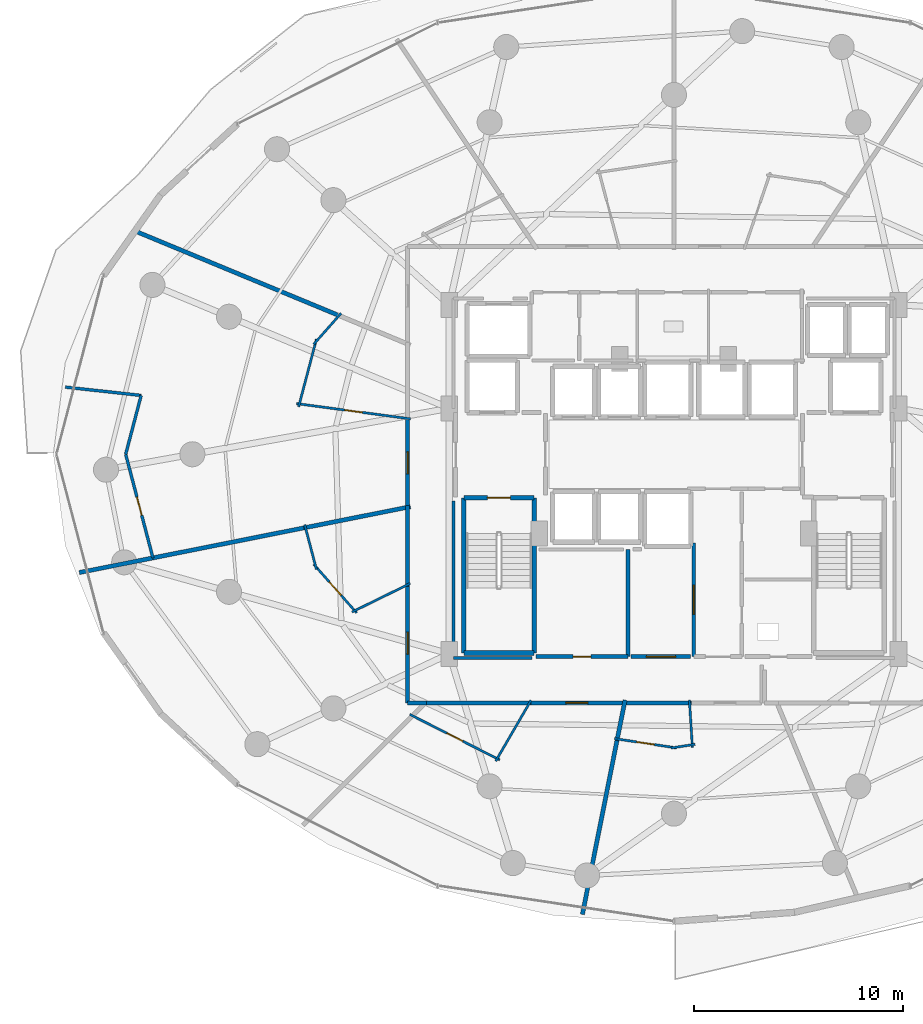
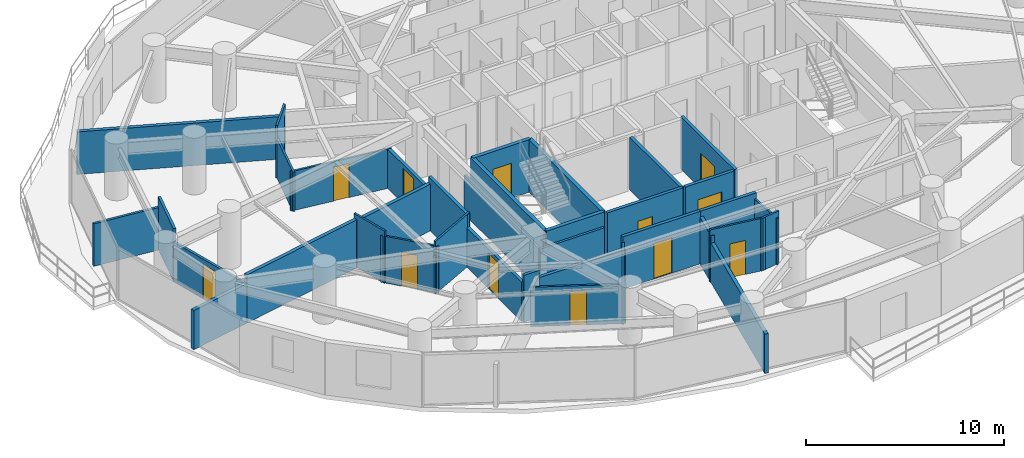
# One storey, part 27 of 35: 37 walls, 12 doors, 12 openings.
"""IFC4 building model written with IfcOpenShell, lengths in metres."""

from ifc_helpers import new_model, si_unit, direction, frame, frame_2d, origin, place, context, subcontext, project, spatial, rectangle, extrude, material, layer, layer_set, type_object, element, fill, save


model = new_model("IFC4")

# Units and contexts
model_context = context("Model", 3, precision=1e-05, world=origin(), true_north=direction((0.0, 1.0)))
body_context = subcontext(model_context, "Body", "Model", "MODEL_VIEW")
ifc_project = project(units=[si_unit("LENGTHUNIT", "METRE"), si_unit("AREAUNIT", "SQUARE_METRE"), si_unit("VOLUMEUNIT", "CUBIC_METRE"), si_unit("PLANEANGLEUNIT", "RADIAN"), si_unit("MASSUNIT", "GRAM", prefix="KILO")], contexts=[model_context])

# Site, building, storey
site_placement = place(None, origin())
site = spatial("IfcSite", under=ifc_project, at=site_placement, CompositionType="ELEMENT")
building_placement = place(site_placement, origin())
building = spatial("IfcBuilding", under=site, at=building_placement, Name="Vorneva Point Tower", CompositionType="ELEMENT")
storey_placement = place(building_placement, frame((0.0, 0.0, 48.5)))
storey = spatial("IfcBuildingStorey", under=building, at=storey_placement, Name="L12", CompositionType="ELEMENT", Elevation=48.5)

# Wall, opening, door
ifc_material_1 = material(Name="Fire-rated acoustic gypsum stud partition", Category="gypsum")
ifc_layer_1 = layer(ifc_material_1, 0.110107421875)
ifc_layer_set_1 = layer_set([ifc_layer_1], Name="Fire-rated acoustic gypsum stud partition")
wall_type_1 = type_object("IfcWallType", Name="WL-PART-110", PredefinedType="PARTITIONING", material=ifc_layer_set_1)
wall_1_placement = place(storey_placement, frame((25.388916015625, 27.6943359375, 0.0), z_axis=(0.0, 0.0, 1.0), x_axis=(-0.991111683087, 0.133032445848, 0.0)))
wall_1 = element("IfcWall", 1, at=wall_1_placement, inside=storey, type_object=wall_type_1, Name="L12 Interior Partition 067", PredefinedType="PARTITIONING", context=body_context, shape_type="SweptSolid", body=[
    extrude(rectangle(XDim=5.503662109375, YDim=0.110107421875, at=frame_2d((2.751953125, 0.0))), origin(), (0.0, 0.0, 1.0), 2.431884765625),
])
opening_1_placement = place(wall_1_placement, frame((2.326904296875, 0.0, 0.0)))
opening_1 = element("IfcOpeningElement", 2, at=opening_1_placement, cuts=wall_1, Name="Opening ID-02", PredefinedType="OPENING", context=body_context, shape_type="SweptSolid", body=[
    extrude(rectangle(XDim=0.85009765625, YDim=2.10009765625, at=frame_2d((0.425048828125, 1.050048828125))), frame((0.0, 0.06982421875, 0.0), z_axis=(0.0, -1.0, 0.0), x_axis=(1.0, 0.0, 0.0)), (0.0, 0.0, 1.0), 0.139892578125),
])
ifc_material_2 = material(Name="Engineered oak fire-rated door leaf", Category="wood")
door_type_1 = type_object("IfcDoorType", Name="DR-BATH-850", OperationType="NOTDEFINED", PredefinedType="DOOR", material=ifc_material_2)
door_1_placement = place(opening_1_placement, origin())
door_1 = element("IfcDoor", 3, at=door_1_placement, inside=storey, type_object=door_type_1, Name="L12 Door Junior Suite L12-05 / En-Suite Bathroom L12-05", OperationType="SINGLE_SWING_RIGHT", OverallHeight=2.10009765625, OverallWidth=0.85009765625, PredefinedType="DOOR", context=body_context, shape_type="SweptSolid", body=[
    extrude(rectangle(XDim=0.85009765625, YDim=2.10009765625, at=frame_2d((0.425048828125, 1.050048828125))), frame((0.0, 0.02490234375, 0.0), z_axis=(0.0, -1.0, 0.0), x_axis=(1.0, 0.0, 0.0)), (0.0, 0.0, 1.0), 0.050048828125),
])
fill(opening_1, door_1)

# Walls
wall_2_placement = place(storey_placement, frame((20.037353515625, 28.272705078125, 0.0), z_axis=(0.0, 0.0, 1.0), x_axis=(0.254593926267, 0.967048050878, 0.0)))
element("IfcWall", 4, at=wall_2_placement, inside=storey, type_object=wall_type_1, Name="L12 Interior Partition 068", PredefinedType="PARTITIONING", context=body_context, shape_type="SweptSolid", body=[
    extrude(rectangle(XDim=3.34375, YDim=0.110107421875, at=frame_2d((1.671875, 0.0))), origin(), (0.0, 0.0, 1.0), 2.431884765625),
])
wall_3_placement = place(storey_placement, frame((20.76025390625, 31.26611328125, 0.0), z_axis=(0.0, 0.0, 1.0), x_axis=(0.662047420969, 0.749461948593, 0.0)))
element("IfcWall", 5, at=wall_3_placement, inside=storey, type_object=wall_type_1, Name="L12 Interior Partition 069", PredefinedType="PARTITIONING", context=body_context, shape_type="SweptSolid", body=[
    extrude(rectangle(XDim=1.9716796875, YDim=0.110107421875, at=frame_2d((0.98583984375, 0.0))), origin(), (0.0, 0.0, 1.0), 3.239990234375),
])
wall_4_placement = place(storey_placement, frame((25.375732421875, 19.815673828125, 0.0), z_axis=(0.0, 0.0, 1.0), x_axis=(-0.89800930559, -0.439976461954, 0.0)))
element("IfcWall", 6, at=wall_4_placement, inside=storey, type_object=wall_type_1, Name="L12 Interior Partition 076", PredefinedType="PARTITIONING", context=body_context, shape_type="SweptSolid", body=[
    extrude(rectangle(XDim=3.09619140625, YDim=0.110107421875, at=frame_2d((1.548095703125, 0.0))), origin(), (0.0, 0.0, 1.0), 3.239990234375),
])

# Wall, opening, door
wall_5_placement = place(storey_placement, frame((22.813720703125, 18.41015625, 0.0), z_axis=(0.0, 0.0, 1.0), x_axis=(-0.662186487972, 0.749339078887, 0.0)))
wall_5 = element("IfcWall", 7, at=wall_5_placement, inside=storey, type_object=wall_type_1, Name="L12 Interior Partition 077", PredefinedType="PARTITIONING", context=body_context, shape_type="SweptSolid", body=[
    extrude(rectangle(XDim=3.10107421875, YDim=0.110107421875, at=frame_2d((1.550537109375, 0.0))), origin(), (0.0, 0.0, 1.0), 2.885986328125),
])
opening_2_placement = place(wall_5_placement, frame((1.12548828125, 0.0, 0.0)))
opening_2 = element("IfcOpeningElement", 8, at=opening_2_placement, cuts=wall_5, Name="Opening ID-02", PredefinedType="OPENING", context=body_context, shape_type="SweptSolid", body=[
    extrude(rectangle(XDim=0.85009765625, YDim=2.10009765625, at=frame_2d((0.425048828125, 1.050048828125))), frame((0.0, 0.06982421875, 0.0), z_axis=(0.0, -1.0, 0.0), x_axis=(1.0, 0.0, 0.0)), (0.0, 0.0, 1.0), 0.139892578125),
])
door_2_placement = place(opening_2_placement, origin())
door_2 = element("IfcDoor", 9, at=door_2_placement, inside=storey, type_object=door_type_1, Name="L12 Door Executive Suite L12-06 / En-Suite Bathroom L12-06", OperationType="SINGLE_SWING_RIGHT", OverallHeight=2.10009765625, OverallWidth=0.85009765625, PredefinedType="DOOR", context=body_context, shape_type="SweptSolid", body=[
    extrude(rectangle(XDim=0.85009765625, YDim=2.10009765625, at=frame_2d((0.425048828125, 1.050048828125))), frame((0.0, 0.02490234375, 0.0), z_axis=(0.0, -1.0, 0.0), x_axis=(1.0, 0.0, 0.0)), (0.0, 0.0, 1.0), 0.050048828125),
])
fill(opening_2, door_2)

# Wall
wall_6_placement = place(storey_placement, frame((20.888671875, 20.49365234375, 0.0), z_axis=(0.0, 0.0, 1.0), x_axis=(-0.254389812051, 0.967101764823, 0.0)))
element("IfcWall", 10, at=wall_6_placement, inside=storey, type_object=wall_type_1, Name="L12 Interior Partition 078", PredefinedType="PARTITIONING", context=body_context, shape_type="SweptSolid", body=[
    extrude(rectangle(XDim=2.206298828125, YDim=0.110107421875, at=frame_2d((1.10302734375, 0.0))), origin(), (0.0, 0.0, 1.0), 3.239990234375),
])

# Wall, opening, door
wall_7_placement = place(storey_placement, frame((29.6650390625, 11.371826171875, 0.0), z_axis=(0.0, 0.0, 1.0), x_axis=(-0.892577568201, 0.450893873039, 0.0)))
wall_7 = element("IfcWall", 11, at=wall_7_placement, inside=storey, type_object=wall_type_1, Name="L12 Interior Partition 080", PredefinedType="PARTITIONING", context=body_context, shape_type="SweptSolid", body=[
    extrude(rectangle(XDim=4.824462890625, YDim=0.110107421875, at=frame_2d((2.412109375, 0.0))), origin(), (0.0, 0.0, 1.0), 2.431884765625),
])
opening_3_placement = place(wall_7_placement, frame((1.987060546875, 0.0, 0.0)))
opening_3 = element("IfcOpeningElement", 12, at=opening_3_placement, cuts=wall_7, Name="Opening ID-02", PredefinedType="OPENING", context=body_context, shape_type="SweptSolid", body=[
    extrude(rectangle(XDim=0.85009765625, YDim=2.10009765625, at=frame_2d((0.425048828125, 1.050048828125))), frame((0.0, 0.06982421875, 0.0), z_axis=(0.0, -1.0, 0.0), x_axis=(1.0, 0.0, 0.0)), (0.0, 0.0, 1.0), 0.139892578125),
])
door_3_placement = place(opening_3_placement, origin())
door_3 = element("IfcDoor", 13, at=door_3_placement, inside=storey, type_object=door_type_1, Name="L12 Door Corner Suite L12-07 / En-Suite Bathroom L12-07", OperationType="SINGLE_SWING_LEFT", OverallHeight=2.10009765625, OverallWidth=0.85009765625, PredefinedType="DOOR", context=body_context, shape_type="SweptSolid", body=[
    extrude(rectangle(XDim=0.85009765625, YDim=2.10009765625, at=frame_2d((0.425048828125, 1.050048828125))), frame((0.0, 0.02490234375, 0.0), z_axis=(0.0, -1.0, 0.0), x_axis=(1.0, 0.0, 0.0)), (0.0, 0.0, 1.0), 0.050048828125),
])
fill(opening_3, door_3)

# Walls
wall_8_placement = place(storey_placement, frame((31.158203125, 14.22119140625, 0.0), z_axis=(0.0, 0.0, 1.0), x_axis=(-0.50222661214, -0.864736046466, 0.0)))
element("IfcWall", 14, at=wall_8_placement, inside=storey, type_object=wall_type_1, Name="L12 Interior Partition 081", PredefinedType="PARTITIONING", context=body_context, shape_type="SweptSolid", body=[
    extrude(rectangle(XDim=3.362060546875, YDim=0.110107421875, at=frame_2d((1.68115234375, 0.0))), origin(), (0.0, 0.0, 1.0), 2.885986328125),
])
wall_9_placement = place(storey_placement, frame((38.740234375, 14.23974609375, 0.0), z_axis=(0.0, 0.0, 1.0), x_axis=(0.062743659702, -0.998029675494, 0.0)))
element("IfcWall", 15, at=wall_9_placement, inside=storey, type_object=wall_type_1, Name="L12 Interior Partition 084", PredefinedType="PARTITIONING", context=body_context, shape_type="SweptSolid", body=[
    extrude(rectangle(XDim=2.287841796875, YDim=0.110107421875, at=frame_2d((1.14404296875, 0.0))), origin(), (0.0, 0.0, 1.0), 2.885986328125),
])
wall_10_placement = place(storey_placement, frame((39.013427734375, 12.116943359375, 0.0), z_axis=(0.0, 0.0, 1.0), x_axis=(-0.988803754909, -0.14922176208, 0.0)))
element("IfcWall", 16, at=wall_10_placement, inside=storey, type_object=wall_type_1, Name="L12 Interior Partition 085", PredefinedType="PARTITIONING", context=body_context, shape_type="SweptSolid", body=[
    extrude(rectangle(XDim=1.164794921875, YDim=0.110107421875, at=frame_2d((0.58251953125, 0.0))), origin(), (0.0, 0.0, 1.0), 3.239990234375),
])

# Wall, opening, door
wall_11_placement = place(storey_placement, frame((38.138427734375, 11.943115234375, 0.0), z_axis=(0.0, 0.0, 1.0), x_axis=(-0.988861549405, 0.148838288446, 0.0)))
wall_11 = element("IfcWall", 17, at=wall_11_placement, inside=storey, type_object=wall_type_1, Name="L12 Interior Partition 086", PredefinedType="PARTITIONING", context=body_context, shape_type="SweptSolid", body=[
    extrude(rectangle(XDim=3.021484375, YDim=0.110107421875, at=frame_2d((1.5107421875, 0.0))), origin(), (0.0, 0.0, 1.0), 3.239990234375),
])
opening_4_placement = place(wall_11_placement, frame((1.085693359375, 0.0, 0.0)))
opening_4 = element("IfcOpeningElement", 18, at=opening_4_placement, cuts=wall_11, Name="Opening ID-02", PredefinedType="OPENING", context=body_context, shape_type="SweptSolid", body=[
    extrude(rectangle(XDim=0.85009765625, YDim=2.10009765625, at=frame_2d((0.425048828125, 1.050048828125))), frame((0.0, 0.06982421875, 0.0), z_axis=(0.0, -1.0, 0.0), x_axis=(1.0, 0.0, 0.0)), (0.0, 0.0, 1.0), 0.139892578125),
])
door_4_placement = place(opening_4_placement, origin())
door_4 = element("IfcDoor", 19, at=door_4_placement, inside=storey, type_object=door_type_1, Name="L12 Door Junior Suite L12-08 / En-Suite Bathroom L12-08", OperationType="SINGLE_SWING_RIGHT", OverallHeight=2.10009765625, OverallWidth=0.85009765625, PredefinedType="DOOR", context=body_context, shape_type="SweptSolid", body=[
    extrude(rectangle(XDim=0.85009765625, YDim=2.10009765625, at=frame_2d((0.425048828125, 1.050048828125))), frame((0.0, 0.02490234375, 0.0), z_axis=(0.0, -1.0, 0.0), x_axis=(1.0, 0.0, 0.0)), (0.0, 0.0, 1.0), 0.050048828125),
])
fill(opening_4, door_4)

# Walls
ifc_layer_2 = layer(ifc_material_1, 0.139892578125)
ifc_layer_set_2 = layer_set([ifc_layer_2], Name="Fire-rated acoustic gypsum stud partition")
wall_type_2 = type_object("IfcWallType", Name="WL-PART-140", PredefinedType="PARTITIONING", material=ifc_layer_set_2)
wall_12_placement = place(storey_placement, frame((8.868896484375, 29.216064453125, 0.0), z_axis=(0.0, 0.0, 1.0), x_axis=(0.99395362386, -0.109800699523, 0.0)))
element("IfcWall", 20, at=wall_12_placement, inside=storey, type_object=wall_type_2, Name="L12 Interior Partition 070", PredefinedType="PARTITIONING", context=body_context, shape_type="SweptSolid", body=[
    extrude(rectangle(XDim=3.653076171875, YDim=0.139892578125, at=frame_2d((1.82666015625, 0.0))), origin(), (0.0, 0.0, 1.0), 2.6240234375),
])
wall_13_placement = place(storey_placement, frame((12.5, 28.81494140625, 0.0), z_axis=(0.0, 0.0, 1.0), x_axis=(-0.254241432202, -0.967140783005, 0.0)))
element("IfcWall", 21, at=wall_13_placement, inside=storey, type_object=wall_type_2, Name="L12 Interior Partition 071", PredefinedType="PARTITIONING", context=body_context, shape_type="SweptSolid", body=[
    extrude(rectangle(XDim=2.91064453125, YDim=0.139892578125, at=frame_2d((1.455322265625, 0.0))), origin(), (0.0, 0.0, 1.0), 3.239990234375),
])

# Wall, opening, door
wall_14_placement = place(storey_placement, frame((11.760009765625, 26.0, 0.0), z_axis=(0.0, 0.0, 1.0), x_axis=(0.254434720755, -0.967089950767, 0.0)))
wall_14 = element("IfcWall", 22, at=wall_14_placement, inside=storey, type_object=wall_type_2, Name="L12 Interior Partition 072", PredefinedType="PARTITIONING", context=body_context, shape_type="SweptSolid", body=[
    extrude(rectangle(XDim=5.128662109375, YDim=0.139892578125, at=frame_2d((2.564453125, 0.0))), origin(), (0.0, 0.0, 1.0), 2.431884765625),
])
opening_5_placement = place(wall_14_placement, frame((2.114501953125, 0.0, 0.0)))
opening_5 = element("IfcOpeningElement", 23, at=opening_5_placement, cuts=wall_14, Name="Opening ID-01", PredefinedType="OPENING", context=body_context, shape_type="SweptSolid", body=[
    extrude(rectangle(XDim=0.89990234375, YDim=2.10009765625, at=frame_2d((0.449951171875, 1.050048828125))), frame((0.0, 0.0849609375, 0.0), z_axis=(0.0, -1.0, 0.0), x_axis=(1.0, 0.0, 0.0)), (0.0, 0.0, 1.0), 0.169677734375),
])
door_type_2 = type_object("IfcDoorType", Name="DR-ROOM-900", OperationType="NOTDEFINED", PredefinedType="DOOR", material=ifc_material_2)
door_5_placement = place(opening_5_placement, origin())
door_5 = element("IfcDoor", 24, at=door_5_placement, inside=storey, type_object=door_type_2, Name="L12 Door Junior Suite L12-05 / Suite Sitting Study L12-05", OperationType="SINGLE_SWING_LEFT", OverallHeight=2.10009765625, OverallWidth=0.89990234375, PredefinedType="DOOR", context=body_context, shape_type="SweptSolid", body=[
    extrude(rectangle(XDim=0.89990234375, YDim=2.10009765625, at=frame_2d((0.449951171875, 1.050048828125))), frame((0.0, 0.02490234375, 0.0), z_axis=(0.0, -1.0, 0.0), x_axis=(1.0, 0.0, 0.0)), (0.0, 0.0, 1.0), 0.050048828125),
])
fill(opening_5, door_5)

# Walls
wall_15_placement = place(storey_placement, frame((31.195068359375, 16.239990234375, 0.0), z_axis=(0.0, 0.0, 1.0), x_axis=(-1.0, 0.0, 0.0)))
element("IfcWall", 25, at=wall_15_placement, inside=storey, type_object=wall_type_2, Name="L12 Interior Closure Partition 103", PredefinedType="PARTITIONING", context=body_context, shape_type="SweptSolid", body=[
    extrude(rectangle(XDim=3.7451171875, YDim=0.139892578125, at=frame_2d((1.87255859375, 0.0))), origin(), (0.0, 0.0, 1.0), 2.431884765625),
])
wall_16_placement = place(storey_placement, frame((27.449951171875, 16.239990234375, 0.0), z_axis=(0.0, 0.0, 1.0), x_axis=(0.0, 1.0, 0.0)))
element("IfcWall", 26, at=wall_16_placement, inside=storey, type_object=wall_type_2, Name="L12 Interior Closure Partition 104", PredefinedType="PARTITIONING", context=body_context, shape_type="SweptSolid", body=[
    extrude(rectangle(XDim=7.513916015625, YDim=0.139892578125, at=frame_2d((3.7568359375, 0.0))), origin(), (0.0, 0.0, 1.0), 2.431884765625),
])

# Wall, opening, door
ifc_material_3 = material(Name="Autoclaved aerated concrete blockwork", Category="masonry")
ifc_layer_3 = layer(ifc_material_3, 0.179931640625)
ifc_layer_set_3 = layer_set([ifc_layer_3], Name="Autoclaved aerated concrete blockwork")
wall_type_3 = type_object("IfcWallType", Name="WL-PART-180", PredefinedType="PARTITIONING", material=ifc_layer_set_3)
wall_17_placement = place(storey_placement, frame((38.949951171875, 21.7548828125, 0.0), z_axis=(0.0, 0.0, 1.0), x_axis=(0.0, -1.0, 0.0)))
wall_17 = element("IfcWall", 27, at=wall_17_placement, inside=storey, type_object=wall_type_3, Name="L12 Interior Partition 013", PredefinedType="PARTITIONING", context=body_context, shape_type="SweptSolid", body=[
    extrude(rectangle(XDim=5.434814453125, YDim=0.179931640625, at=frame_2d((2.71728515625, 0.0))), origin(), (0.0, 0.0, 1.0), 3.239990234375),
])
opening_6_placement = place(wall_17_placement, frame((2.017578125, 0.0, 0.0)))
opening_6 = element("IfcOpeningElement", 28, at=opening_6_placement, cuts=wall_17, Name="Opening FD-03", PredefinedType="OPENING", context=body_context, shape_type="SweptSolid", body=[
    extrude(rectangle(XDim=1.39990234375, YDim=2.199951171875, at=frame_2d((0.699951171875, 1.10009765625))), frame((0.0, 0.10498046875, 0.0), z_axis=(0.0, -1.0, 0.0), x_axis=(1.0, 0.0, 0.0)), (0.0, 0.0, 1.0), 0.209716796875),
])
ifc_material_4 = material(Name="Fire-rated powder-coated steel", Category="steel")
door_type_3 = type_object("IfcDoorType", Name="DR-PLT-1400", OperationType="DOUBLE_SWING_LEFT", PredefinedType="DOOR", material=ifc_material_4)
door_6_placement = place(opening_6_placement, origin())
door_6 = element("IfcDoor", 29, at=door_6_placement, inside=storey, type_object=door_type_3, Name="L12 Door Core Service Lobby / Telecoms and Data Room", OperationType="DOUBLE_SWING_LEFT", OverallHeight=2.199951171875, OverallWidth=1.39990234375, PredefinedType="DOOR", context=body_context, shape_type="SweptSolid", body=[
    extrude(rectangle(XDim=1.39990234375, YDim=2.199951171875, at=frame_2d((0.699951171875, 1.10009765625))), frame((0.0, 0.02490234375, 0.0), z_axis=(0.0, -1.0, 0.0), x_axis=(1.0, 0.0, 0.0)), (0.0, 0.0, 1.0), 0.050048828125),
])
fill(opening_6, door_6)

# Wall
wall_18_placement = place(storey_placement, frame((35.800048828125, 16.320068359375, 0.0), z_axis=(0.0, 0.0, 1.0), x_axis=(0.0, 1.0, 0.0)))
element("IfcWall", 30, at=wall_18_placement, inside=storey, type_object=wall_type_3, Name="L12 Interior Partition 023", PredefinedType="PARTITIONING", context=body_context, shape_type="SweptSolid", body=[
    extrude(rectangle(XDim=5.1298828125, YDim=0.179931640625, at=frame_2d((2.56494140625, 0.0))), origin(), (0.0, 0.0, 1.0), 3.239990234375),
])

# Wall, opening, door
wall_19_placement = place(storey_placement, frame((31.39990234375, 16.320068359375, 0.0), z_axis=(0.0, 0.0, 1.0), x_axis=(1.0, 0.0, 0.0)))
wall_19 = element("IfcWall", 31, at=wall_19_placement, inside=storey, type_object=wall_type_3, Name="L12 Interior Partition 024", PredefinedType="PARTITIONING", context=body_context, shape_type="SweptSolid", body=[
    extrude(rectangle(XDim=4.400146484375, YDim=0.179931640625, at=frame_2d((2.2001953125, 0.0))), origin(), (0.0, 0.0, 1.0), 3.239990234375),
])
opening_7_placement = place(wall_19_placement, frame((1.77490234375, 0.0, 0.0)))
opening_7 = element("IfcOpeningElement", 32, at=opening_7_placement, cuts=wall_19, Name="Opening ID-02", PredefinedType="OPENING", context=body_context, shape_type="SweptSolid", body=[
    extrude(rectangle(XDim=0.85009765625, YDim=2.10009765625, at=frame_2d((0.425048828125, 1.050048828125))), frame((0.0, 0.10498046875, 0.0), z_axis=(0.0, -1.0, 0.0), x_axis=(1.0, 0.0, 0.0)), (0.0, 0.0, 1.0), 0.209716796875),
])
door_7_placement = place(opening_7_placement, origin())
door_7 = element("IfcDoor", 33, at=door_7_placement, inside=storey, type_object=door_type_1, Name="L12 Door Housekeeping Store / L12 Circulation Corridor", OperationType="SINGLE_SWING_RIGHT", OverallHeight=2.10009765625, OverallWidth=0.85009765625, PredefinedType="DOOR", context=body_context, shape_type="SweptSolid", body=[
    extrude(rectangle(XDim=0.85009765625, YDim=2.10009765625, at=frame_2d((0.425048828125, 1.050048828125))), frame((0.0, 0.02490234375, 0.0), z_axis=(0.0, -1.0, 0.0), x_axis=(1.0, 0.0, 0.0)), (0.0, 0.0, 1.0), 0.050048828125),
])
fill(opening_7, door_7)

wall_20_placement = place(storey_placement, frame((35.949951171875, 16.320068359375, 0.0), z_axis=(0.0, 0.0, 1.0), x_axis=(1.0, 0.0, 0.0)))
wall_20 = element("IfcWall", 34, at=wall_20_placement, inside=storey, type_object=wall_type_3, Name="L12 Interior Partition 025", PredefinedType="PARTITIONING", context=body_context, shape_type="SweptSolid", body=[
    extrude(rectangle(XDim=2.85009765625, YDim=0.179931640625, at=frame_2d((1.425048828125, 0.0))), origin(), (0.0, 0.0, 1.0), 3.239990234375),
])
opening_8_placement = place(wall_20_placement, frame((0.72509765625, 0.0, 0.0)))
opening_8 = element("IfcOpeningElement", 35, at=opening_8_placement, cuts=wall_20, Name="Opening FD-03", PredefinedType="OPENING", context=body_context, shape_type="SweptSolid", body=[
    extrude(rectangle(XDim=1.39990234375, YDim=2.199951171875, at=frame_2d((0.699951171875, 1.10009765625))), frame((0.0, 0.10498046875, 0.0), z_axis=(0.0, -1.0, 0.0), x_axis=(1.0, 0.0, 0.0)), (0.0, 0.0, 1.0), 0.209716796875),
])
door_8_placement = place(opening_8_placement, origin())
door_8 = element("IfcDoor", 36, at=door_8_placement, inside=storey, type_object=door_type_3, Name="L12 Door Telecoms and Data Room / L12 Circulation Corridor", OperationType="DOUBLE_SWING_LEFT", OverallHeight=2.199951171875, OverallWidth=1.39990234375, PredefinedType="DOOR", context=body_context, shape_type="SweptSolid", body=[
    extrude(rectangle(XDim=1.39990234375, YDim=2.199951171875, at=frame_2d((0.699951171875, 1.10009765625))), frame((0.0, 0.02490234375, 0.0), z_axis=(0.0, -1.0, 0.0), x_axis=(1.0, 0.0, 0.0)), (0.0, 0.0, 1.0), 0.050048828125),
])
fill(opening_8, door_8)

wall_21_placement = place(storey_placement, frame((25.25, 27.77392578125, 0.0), z_axis=(0.0, 0.0, 1.0), x_axis=(0.0, -1.0, 0.0)))
wall_21 = element("IfcWall", 37, at=wall_21_placement, inside=storey, type_object=wall_type_3, Name="L12 Interior Partition 035", PredefinedType="PARTITIONING", context=body_context, shape_type="SweptSolid", body=[
    extrude(rectangle(XDim=4.370849609375, YDim=0.179931640625, at=frame_2d((2.185546875, 0.0))), origin(), (0.0, 0.0, 1.0), 2.431884765625),
])
opening_9_placement = place(wall_21_placement, frame((1.660400390625, 0.0, 0.0)))
opening_9 = element("IfcOpeningElement", 38, at=opening_9_placement, cuts=wall_21, Name="Opening UD-02", PredefinedType="OPENING", context=body_context, shape_type="SweptSolid", body=[
    extrude(rectangle(XDim=1.050048828125, YDim=2.199951171875, at=frame_2d((0.52490234375, 1.10009765625))), frame((0.0, 0.10498046875, 0.0), z_axis=(0.0, -1.0, 0.0), x_axis=(1.0, 0.0, 0.0)), (0.0, 0.0, 1.0), 0.209716796875),
])
door_type_4 = type_object("IfcDoorType", Name="DR-SUITE-1050", OperationType="NOTDEFINED", PredefinedType="DOOR", material=ifc_material_2)
door_9_placement = place(opening_9_placement, origin())
door_9 = element("IfcDoor", 39, at=door_9_placement, inside=storey, type_object=door_type_4, Name="L12 Door L12 Circulation Corridor / Junior Suite L12-05", OperationType="SINGLE_SWING_RIGHT", OverallHeight=2.199951171875, OverallWidth=1.050048828125, PredefinedType="DOOR", context=body_context, shape_type="SweptSolid", body=[
    extrude(rectangle(XDim=1.050048828125, YDim=2.199951171875, at=frame_2d((0.52490234375, 1.10009765625))), frame((0.0, 0.02490234375, 0.0), z_axis=(0.0, -1.0, 0.0), x_axis=(1.0, 0.0, 0.0)), (0.0, 0.0, 1.0), 0.050048828125),
])
fill(opening_9, door_9)

wall_22_placement = place(storey_placement, frame((25.25, 19.81396484375, 0.0), z_axis=(0.0, 0.0, 1.0), x_axis=(0.0, -1.0, 0.0)))
wall_22 = element("IfcWall", 40, at=wall_22_placement, inside=storey, type_object=wall_type_3, Name="L12 Interior Partition 037", PredefinedType="PARTITIONING", context=body_context, shape_type="SweptSolid", body=[
    extrude(rectangle(XDim=5.7138671875, YDim=0.179931640625, at=frame_2d((2.85693359375, 0.0))), origin(), (0.0, 0.0, 1.0), 2.431884765625),
])
opening_10_placement = place(wall_22_placement, frame((2.33203125, 0.0, 0.0)))
opening_10 = element("IfcOpeningElement", 41, at=opening_10_placement, cuts=wall_22, Name="Opening UD-02", PredefinedType="OPENING", context=body_context, shape_type="SweptSolid", body=[
    extrude(rectangle(XDim=1.050048828125, YDim=2.199951171875, at=frame_2d((0.52490234375, 1.10009765625))), frame((0.0, 0.10498046875, 0.0), z_axis=(0.0, -1.0, 0.0), x_axis=(1.0, 0.0, 0.0)), (0.0, 0.0, 1.0), 0.209716796875),
])
door_10_placement = place(opening_10_placement, origin())
door_10 = element("IfcDoor", 42, at=door_10_placement, inside=storey, type_object=door_type_4, Name="L12 Door L12 Circulation Corridor / Executive Suite L12-06", OperationType="SINGLE_SWING_LEFT", OverallHeight=2.199951171875, OverallWidth=1.050048828125, PredefinedType="DOOR", context=body_context, shape_type="SweptSolid", body=[
    extrude(rectangle(XDim=1.050048828125, YDim=2.199951171875, at=frame_2d((0.52490234375, 1.10009765625))), frame((0.0, 0.02490234375, 0.0), z_axis=(0.0, -1.0, 0.0), x_axis=(1.0, 0.0, 0.0)), (0.0, 0.0, 1.0), 0.050048828125),
])
fill(opening_10, door_10)

# Walls
wall_23_placement = place(storey_placement, frame((25.25, 14.10009765625, 0.0), z_axis=(0.0, 0.0, 1.0), x_axis=(1.0, 0.0, 0.0)))
element("IfcWall", 43, at=wall_23_placement, inside=storey, type_object=wall_type_3, Name="L12 Interior Partition 038", PredefinedType="PARTITIONING", context=body_context, shape_type="SweptSolid", body=[
    extrude(rectangle(XDim=0.909912109375, YDim=0.179931640625, at=frame_2d((0.455078125, 0.0))), origin(), (0.0, 0.0, 1.0), 2.885986328125),
])
wall_24_placement = place(storey_placement, frame((25.25, 23.54296875, 0.0), z_axis=(0.0, 0.0, 1.0), x_axis=(0.0, -1.0, 0.0)))
element("IfcWall", 44, at=wall_24_placement, inside=storey, type_object=wall_type_3, Name="L12 Interior Partition 039", PredefinedType="PARTITIONING", context=body_context, shape_type="SweptSolid", body=[
    extrude(rectangle(XDim=3.868896484375, YDim=0.179931640625, at=frame_2d((1.9345703125, 0.0))), origin(), (0.0, 0.0, 1.0), 3.239990234375),
])

# Wall, opening, door
wall_25_placement = place(storey_placement, frame((31.01904296875, 14.10009765625, 0.0), z_axis=(0.0, 0.0, 1.0), x_axis=(1.0, 0.0, 0.0)))
wall_25 = element("IfcWall", 45, at=wall_25_placement, inside=storey, type_object=wall_type_3, Name="L12 Interior Partition 040", PredefinedType="PARTITIONING", context=body_context, shape_type="SweptSolid", body=[
    extrude(rectangle(XDim=4.674072265625, YDim=0.179931640625, at=frame_2d((2.3369140625, 0.0))), origin(), (0.0, 0.0, 1.0), 3.239990234375),
])
opening_11_placement = place(wall_25_placement, frame((1.81201171875, 0.0, 0.0)))
opening_11 = element("IfcOpeningElement", 46, at=opening_11_placement, cuts=wall_25, Name="Opening UD-02", PredefinedType="OPENING", context=body_context, shape_type="SweptSolid", body=[
    extrude(rectangle(XDim=1.050048828125, YDim=2.199951171875, at=frame_2d((0.52490234375, 1.10009765625))), frame((0.0, 0.10498046875, 0.0), z_axis=(0.0, -1.0, 0.0), x_axis=(1.0, 0.0, 0.0)), (0.0, 0.0, 1.0), 0.209716796875),
])
door_11_placement = place(opening_11_placement, origin())
door_11 = element("IfcDoor", 47, at=door_11_placement, inside=storey, type_object=door_type_4, Name="L12 Door L12 Circulation Corridor / Corner Suite L12-07", OperationType="SINGLE_SWING_RIGHT", OverallHeight=2.199951171875, OverallWidth=1.050048828125, PredefinedType="DOOR", context=body_context, shape_type="SweptSolid", body=[
    extrude(rectangle(XDim=1.050048828125, YDim=2.199951171875, at=frame_2d((0.52490234375, 1.10009765625))), frame((0.0, 0.02490234375, 0.0), z_axis=(0.0, -1.0, 0.0), x_axis=(1.0, 0.0, 0.0)), (0.0, 0.0, 1.0), 0.050048828125),
])
fill(opening_11, door_11)

# Walls
wall_26_placement = place(storey_placement, frame((26.02001953125, 14.10009765625, 0.0), z_axis=(0.0, 0.0, 1.0), x_axis=(1.0, 0.0, 0.0)))
element("IfcWall", 48, at=wall_26_placement, inside=storey, type_object=wall_type_3, Name="L12 Interior Partition 041", PredefinedType="PARTITIONING", context=body_context, shape_type="SweptSolid", body=[
    extrude(rectangle(XDim=5.138916015625, YDim=0.179931640625, at=frame_2d((2.5693359375, 0.0))), origin(), (0.0, 0.0, 1.0), 2.431884765625),
])
wall_27_placement = place(storey_placement, frame((35.552978515625, 14.10009765625, 0.0), z_axis=(0.0, 0.0, 1.0), x_axis=(1.0, 0.0, 0.0)))
element("IfcWall", 49, at=wall_27_placement, inside=storey, type_object=wall_type_3, Name="L12 Interior Partition 046", PredefinedType="PARTITIONING", context=body_context, shape_type="SweptSolid", body=[
    extrude(rectangle(XDim=3.276123046875, YDim=0.179931640625, at=frame_2d((1.63818359375, 0.0))), origin(), (0.0, 0.0, 1.0), 3.239990234375),
])
ifc_layer_4 = layer(ifc_material_3, 0.199951171875)
ifc_layer_set_4 = layer_set([ifc_layer_4], Name="Autoclaved aerated concrete blockwork")
wall_type_4 = type_object("IfcWallType", Name="WL-PART-200", PredefinedType="PARTITIONING", material=ifc_layer_set_4)
wall_28_placement = place(storey_placement, frame((12.20703125, 36.68408203125, 0.0), z_axis=(0.0, 0.0, 1.0), x_axis=(0.923876032578, -0.382691881842, 0.0)))
element("IfcWall", 50, at=wall_28_placement, inside=storey, type_object=wall_type_4, Name="L12 Interior Partition 065", PredefinedType="PARTITIONING", context=body_context, shape_type="SweptSolid", body=[
    extrude(rectangle(XDim=10.63037109375, YDim=0.199951171875, at=frame_2d((5.315185546875, 0.0))), origin(), (0.0, 0.0, 1.0), 2.6240234375),
])
wall_29_placement = place(storey_placement, frame((13.06494140625, 21.0400390625, 0.0), z_axis=(0.0, 0.0, 1.0), x_axis=(0.980774220135, 0.195145917502, 0.0)))
element("IfcWall", 51, at=wall_29_placement, inside=storey, type_object=wall_type_4, Name="L12 Interior Partition 073", PredefinedType="PARTITIONING", context=body_context, shape_type="SweptSolid", body=[
    extrude(rectangle(XDim=7.50146484375, YDim=0.199951171875, at=frame_2d((3.750732421875, 0.0))), origin(), (0.0, 0.0, 1.0), 2.971923828125),
])
wall_30_placement = place(storey_placement, frame((20.284912109375, 22.476318359375, 0.0), z_axis=(0.0, 0.0, 1.0), x_axis=(0.980785905074, 0.195087181559, 0.0)))
element("IfcWall", 52, at=wall_30_placement, inside=storey, type_object=wall_type_4, Name="L12 Interior Partition 074", PredefinedType="PARTITIONING", context=body_context, shape_type="SweptSolid", body=[
    extrude(rectangle(XDim=5.2021484375, YDim=0.199951171875, at=frame_2d((2.60107421875, 0.0))), origin(), (0.0, 0.0, 1.0), 2.885986328125),
])
wall_31_placement = place(storey_placement, frame((9.541015625, 20.339111328125, 0.0), z_axis=(0.0, 0.0, 1.0), x_axis=(0.980786594985, 0.195083713053, 0.0)))
element("IfcWall", 53, at=wall_31_placement, inside=storey, type_object=wall_type_4, Name="L12 Interior Partition 075", PredefinedType="PARTITIONING", context=body_context, shape_type="SweptSolid", body=[
    extrude(rectangle(XDim=3.593017578125, YDim=0.199951171875, at=frame_2d((1.79638671875, 0.0))), origin(), (0.0, 0.0, 1.0), 2.431884765625),
])
wall_32_placement = place(storey_placement, frame((33.618896484375, 3.97705078125, 0.0), z_axis=(0.0, 0.0, 1.0), x_axis=(0.195151937053, 0.980773022398, 0.0)))
element("IfcWall", 54, at=wall_32_placement, inside=storey, type_object=wall_type_4, Name="L12 Interior Partition 082", PredefinedType="PARTITIONING", context=body_context, shape_type="SweptSolid", body=[
    extrude(rectangle(XDim=8.61962890625, YDim=0.199951171875, at=frame_2d((4.309814453125, 0.0))), origin(), (0.0, 0.0, 1.0), 2.431884765625),
])
wall_33_placement = place(storey_placement, frame((35.274169921875, 12.293701171875, 0.0), z_axis=(0.0, 0.0, 1.0), x_axis=(0.194907646023, 0.980821599233, 0.0)))
element("IfcWall", 55, at=wall_33_placement, inside=storey, type_object=wall_type_4, Name="L12 Interior Partition 083", PredefinedType="PARTITIONING", context=body_context, shape_type="SweptSolid", body=[
    extrude(rectangle(XDim=1.981689453125, YDim=0.199951171875, at=frame_2d((0.99072265625, 0.0))), origin(), (0.0, 0.0, 1.0), 2.885986328125),
])

# Wall, opening, door
ifc_material_5 = material(Name="Concrete B50 (C40/50)", Category="concrete")
ifc_layer_5 = layer(ifc_material_5, 0.219970703125)
ifc_layer_set_5 = layer_set([ifc_layer_5], Name="Concrete B50 (C40/50)")
wall_type_5 = type_object("IfcWallType", Name="WL-SHFT-220", PredefinedType="SOLIDWALL", material=ifc_layer_set_5)
wall_34_placement = place(storey_placement, frame((27.93994140625, 23.909912109375, 0.0), z_axis=(0.0, 0.0, 1.0), x_axis=(1.0, 0.0, 0.0)))
wall_34 = element("IfcWall", 56, at=wall_34_placement, inside=storey, type_object=wall_type_5, Name="L12 Exit Stair ST1 Shaft Wall near", PredefinedType="SOLIDWALL", context=body_context, shape_type="SweptSolid", body=[
    extrude(rectangle(XDim=3.3701171875, YDim=0.219970703125, at=frame_2d((1.68505859375, 0.0))), origin(), (0.0, 0.0, 1.0), 3.239990234375),
])
opening_12_placement = place(wall_34_placement, frame((1.135009765625, 0.0, 0.0)))
opening_12 = element("IfcOpeningElement", 57, at=opening_12_placement, cuts=wall_34, Name="Opening FD-01", PredefinedType="OPENING", context=body_context, shape_type="SweptSolid", body=[
    extrude(rectangle(XDim=1.10009765625, YDim=2.14990234375, at=frame_2d((0.550048828125, 1.074951171875))), frame((0.0, 0.125, 0.0), z_axis=(0.0, -1.0, 0.0), x_axis=(1.0, 0.0, 0.0)), (0.0, 0.0, 1.0), 0.249755859375),
])
door_type_5 = type_object("IfcDoorType", Name="DR-STAIR-1100", OperationType="NOTDEFINED", PredefinedType="DOOR", material=ifc_material_4)
door_12_placement = place(opening_12_placement, origin())
door_12 = element("IfcDoor", 58, at=door_12_placement, inside=storey, type_object=door_type_5, Name="L12 Exit Stair ST1 Fire Door", OperationType="SINGLE_SWING_RIGHT", OverallHeight=2.14990234375, OverallWidth=1.10009765625, PredefinedType="DOOR", context=body_context, shape_type="SweptSolid", body=[
    extrude(rectangle(XDim=1.10009765625, YDim=2.14990234375, at=frame_2d((0.550048828125, 1.074951171875))), frame((0.0, 0.02490234375, 0.0), z_axis=(0.0, -1.0, 0.0), x_axis=(1.0, 0.0, 0.0)), (0.0, 0.0, 1.0), 0.050048828125),
])
fill(opening_12, door_12)

# Walls
wall_35_placement = place(storey_placement, frame((31.31005859375, 23.909912109375, 0.0), z_axis=(0.0, 0.0, 1.0), x_axis=(0.0, -1.0, 0.0)))
element("IfcWall", 59, at=wall_35_placement, inside=storey, type_object=wall_type_5, Name="L12 Exit Stair ST1 Shaft Wall right", PredefinedType="SOLIDWALL", context=body_context, shape_type="SweptSolid", body=[
    extrude(rectangle(XDim=7.419921875, YDim=0.219970703125, at=frame_2d((3.7099609375, 0.0))), origin(), (0.0, 0.0, 1.0), 3.239990234375),
])
wall_36_placement = place(storey_placement, frame((31.31005859375, 16.489990234375, 0.0), z_axis=(0.0, 0.0, 1.0), x_axis=(-1.0, 0.0, 0.0)))
element("IfcWall", 60, at=wall_36_placement, inside=storey, type_object=wall_type_5, Name="L12 Exit Stair ST1 Shaft Wall far", PredefinedType="SOLIDWALL", context=body_context, shape_type="SweptSolid", body=[
    extrude(rectangle(XDim=3.3701171875, YDim=0.219970703125, at=frame_2d((1.68505859375, 0.0))), origin(), (0.0, 0.0, 1.0), 3.239990234375),
])
wall_37_placement = place(storey_placement, frame((27.93994140625, 16.489990234375, 0.0), z_axis=(0.0, 0.0, 1.0), x_axis=(0.0, 1.0, 0.0)))
element("IfcWall", 61, at=wall_37_placement, inside=storey, type_object=wall_type_5, Name="L12 Exit Stair ST1 Shaft Wall left", PredefinedType="SOLIDWALL", context=body_context, shape_type="SweptSolid", body=[
    extrude(rectangle(XDim=7.419921875, YDim=0.219970703125, at=frame_2d((3.7099609375, 0.0))), origin(), (0.0, 0.0, 1.0), 3.239990234375),
])

save(model, "model.ifc")
